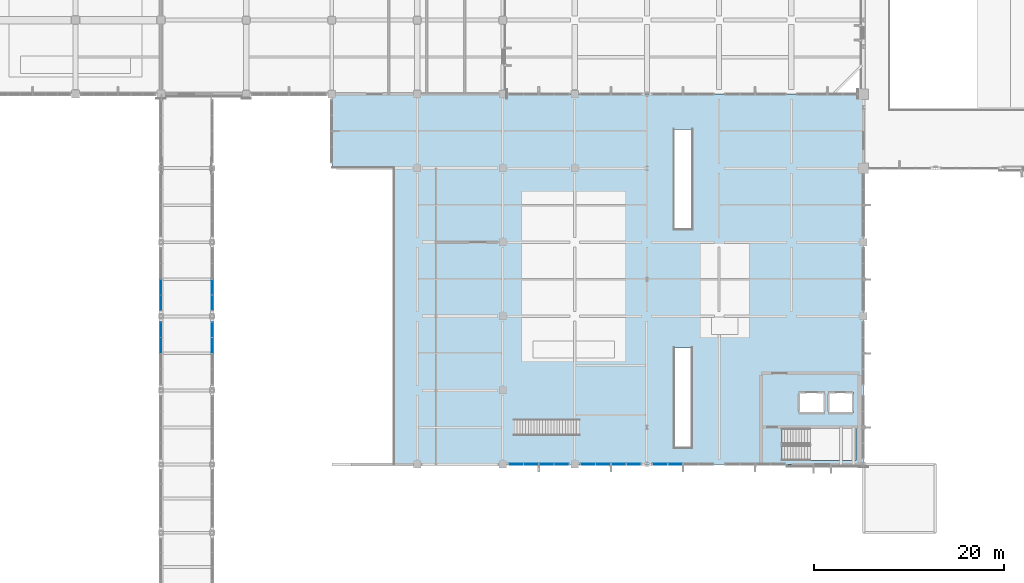
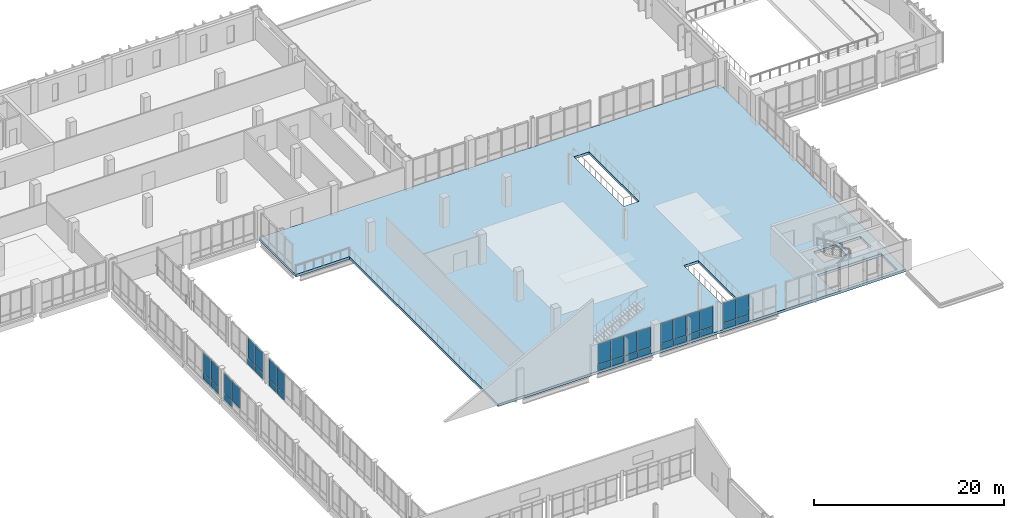
# One storey, part 46 of 85: 35 plates, 1 slab, 9 elements without a shape of their own.
"""IFC4 building model written with IfcOpenShell, lengths in metres."""

from ifc_helpers import new_model, si_unit, direction, frame, origin, origin_2d, place, context, subcontext, project, spatial, polyline, rectangle, outline, extrude, material, layer, layer_set, type_object, element, aggregate, save


model = new_model("IFC4")

# Units and contexts
model_context = context("Model", 3, precision=1e-05, world=origin(), true_north=direction((0.0, 1.0)))
body_context = subcontext(model_context, "Body", "Model", "MODEL_VIEW")
ifc_project = project(units=[si_unit("LENGTHUNIT", "METRE"), si_unit("AREAUNIT", "SQUARE_METRE"), si_unit("VOLUMEUNIT", "CUBIC_METRE"), si_unit("PLANEANGLEUNIT", "RADIAN"), si_unit("MASSUNIT", "GRAM", prefix="KILO")], contexts=[model_context])

# Site, building, storey
site_placement = place(None, origin())
site = spatial("IfcSite", under=ifc_project, at=site_placement, CompositionType="ELEMENT")
building_placement = place(site_placement, origin())
building = spatial("IfcBuilding", under=site, at=building_placement, Name="Vervanel Yard Central Library", CompositionType="ELEMENT")
storey_placement = place(building_placement, frame((0.0, 0.0, 5.10009765625)))
storey = spatial("IfcBuildingStorey", under=building, at=storey_placement, Name="L01", CompositionType="ELEMENT", Elevation=5.10009765625)

# Curtain wall, plate
ifc_material_1 = material(Name="Thermally broken anodized aluminium 6063-T6", Category="aluminium")
curtain_wall_type_1 = type_object("IfcCurtainWallType", Name="Boulevard Cafe & Bridge Curtain Wall", PredefinedType="NOTDEFINED", material=ifc_material_1)
curtain_wall_1_placement = place(storey_placement, origin())
curtain_wall_1 = element("IfcCurtainWall", 1, at=curtain_wall_1_placement, inside=storey, type_object=curtain_wall_type_1, Name="L01 Boulevard Cafe & Bridge Curtain Wall CWR-L01-180", PredefinedType="NOTDEFINED")
ifc_material_2 = material(Name="Insulated bronze aluminium spandrel panel", Category="aluminium")
ifc_layer_1 = layer(ifc_material_2, 0.070068359375, Category="aluminium")
ifc_layer_set_1 = layer_set([ifc_layer_1], Name="Insulated bronze aluminium spandrel panel")
plate_type_1 = type_object("IfcPlateType", Name="Bridge Fascia Spandrel Panel 70", PredefinedType="CURTAIN_PANEL", material=ifc_layer_set_1)
plate_1_placement = place(storey_placement, frame((72.0, 57.382568359375, 0.06005859375), z_axis=(0.0, 0.0, 1.0), x_axis=(0.0, 1.0, 0.0)))
plate_1 = element("IfcPlate", 2, at=plate_1_placement, type_object=plate_type_1, Name="CWR-L01-180 Panel B4-1", PredefinedType="CURTAIN_PANEL", context=body_context, shape_type="SweptSolid", body=[
    extrude(rectangle(XDim=1.594970703125, YDim=0.070068359375, at=origin_2d()), origin(), (0.0, 0.0, 1.0), 0.760009765625),
])

# Curtain wall, plates
curtain_wall_2_placement = place(storey_placement, origin())
curtain_wall_2 = element("IfcCurtainWall", 3, at=curtain_wall_2_placement, inside=storey, type_object=curtain_wall_type_1, Name="L01 Boulevard Cafe & Bridge Curtain Wall CWR-L01-181", PredefinedType="NOTDEFINED")
plate_2_placement = place(storey_placement, frame((72.0, 60.217529296875, 0.06005859375), z_axis=(0.0, 0.0, 1.0), x_axis=(0.0, 1.0, 0.0)))
plate_2 = element("IfcPlate", 4, at=plate_2_placement, type_object=plate_type_1, Name="CWR-L01-181 Panel B1-1", PredefinedType="CURTAIN_PANEL", context=body_context, shape_type="SweptSolid", body=[
    extrude(rectangle(XDim=1.594970703125, YDim=0.070068359375, at=origin_2d()), origin(), (0.0, 0.0, 1.0), 0.760009765625),
])
plate_3_placement = place(storey_placement, frame((72.0, 61.87255859375, 0.06005859375), z_axis=(0.0, 0.0, 1.0), x_axis=(0.0, 1.0, 0.0)))
plate_3 = element("IfcPlate", 5, at=plate_3_placement, type_object=plate_type_1, Name="CWR-L01-181 Panel B2-1", PredefinedType="CURTAIN_PANEL", context=body_context, shape_type="SweptSolid", body=[
    extrude(rectangle(XDim=1.594970703125, YDim=0.070068359375, at=origin_2d()), origin(), (0.0, 0.0, 1.0), 0.760009765625),
])

curtain_wall_3_placement = place(storey_placement, origin())
curtain_wall_3 = element("IfcCurtainWall", 6, at=curtain_wall_3_placement, inside=storey, type_object=curtain_wall_type_1, Name="L01 Boulevard Cafe & Bridge Curtain Wall CWR-L01-188", PredefinedType="NOTDEFINED")
plate_4_placement = place(storey_placement, frame((77.39990234375, 55.7275390625, 0.06005859375), z_axis=(0.0, 0.0, 1.0), x_axis=(0.0, 1.0, 0.0)))
plate_4 = element("IfcPlate", 7, at=plate_4_placement, type_object=plate_type_1, Name="CWR-L01-188 Panel B3-1", PredefinedType="CURTAIN_PANEL", context=body_context, shape_type="SweptSolid", body=[
    extrude(rectangle(XDim=1.594970703125, YDim=0.070068359375, at=origin_2d()), origin(), (0.0, 0.0, 1.0), 0.760009765625),
])
plate_5_placement = place(storey_placement, frame((77.39990234375, 57.382568359375, 0.06005859375), z_axis=(0.0, 0.0, 1.0), x_axis=(0.0, 1.0, 0.0)))
plate_5 = element("IfcPlate", 8, at=plate_5_placement, type_object=plate_type_1, Name="CWR-L01-188 Panel B4-1", PredefinedType="CURTAIN_PANEL", context=body_context, shape_type="SweptSolid", body=[
    extrude(rectangle(XDim=1.594970703125, YDim=0.070068359375, at=origin_2d()), origin(), (0.0, 0.0, 1.0), 0.760009765625),
])

curtain_wall_4_placement = place(storey_placement, origin())
curtain_wall_4 = element("IfcCurtainWall", 9, at=curtain_wall_4_placement, inside=storey, type_object=curtain_wall_type_1, Name="L01 Boulevard Cafe & Bridge Curtain Wall CWR-L01-189", PredefinedType="NOTDEFINED")
plate_6_placement = place(storey_placement, frame((77.39990234375, 60.217529296875, 0.06005859375), z_axis=(0.0, 0.0, 1.0), x_axis=(0.0, 1.0, 0.0)))
plate_6 = element("IfcPlate", 10, at=plate_6_placement, type_object=plate_type_1, Name="CWR-L01-189 Panel B1-1", PredefinedType="CURTAIN_PANEL", context=body_context, shape_type="SweptSolid", body=[
    extrude(rectangle(XDim=1.594970703125, YDim=0.070068359375, at=origin_2d()), origin(), (0.0, 0.0, 1.0), 0.760009765625),
])
plate_7_placement = place(storey_placement, frame((77.39990234375, 61.87255859375, 0.06005859375), z_axis=(0.0, 0.0, 1.0), x_axis=(0.0, 1.0, 0.0)))
plate_7 = element("IfcPlate", 11, at=plate_7_placement, type_object=plate_type_1, Name="CWR-L01-189 Panel B2-1", PredefinedType="CURTAIN_PANEL", context=body_context, shape_type="SweptSolid", body=[
    extrude(rectangle(XDim=1.594970703125, YDim=0.070068359375, at=origin_2d()), origin(), (0.0, 0.0, 1.0), 0.760009765625),
])

# Plate
ifc_material_3 = material(Name="Double low-E laminated solar-control glass", Category="glass")
ifc_layer_2 = layer(ifc_material_3, 0.028076171875, Category="glass")
ifc_layer_set_2 = layer_set([ifc_layer_2], Name="Double low-E laminated solar-control glass")
plate_type_2 = type_object("IfcPlateType", Name="Bridge UV-Filtered Vision Panel 28", PredefinedType="CURTAIN_PANEL", material=ifc_layer_set_2)
plate_8_placement = place(storey_placement, frame((72.0, 55.7275390625, 0.8798828125), z_axis=(0.0, 0.0, 1.0), x_axis=(0.0, 1.0, 0.0)))
plate_8 = element("IfcPlate", 12, at=plate_8_placement, type_object=plate_type_2, Name="CWR-L01-180 Panel B3-2", PredefinedType="CURTAIN_PANEL", context=body_context, shape_type="SweptSolid", body=[
    extrude(rectangle(XDim=1.594970703125, YDim=0.028076171875, at=origin_2d()), origin(), (0.0, 0.0, 1.0), 2.590087890625),
])

plate_9_placement = place(storey_placement, frame((72.0, 57.382568359375, 0.8798828125), z_axis=(0.0, 0.0, 1.0), x_axis=(0.0, 1.0, 0.0)))
plate_9 = element("IfcPlate", 13, at=plate_9_placement, type_object=plate_type_2, Name="CWR-L01-180 Panel B4-2", PredefinedType="CURTAIN_PANEL", context=body_context, shape_type="SweptSolid", body=[
    extrude(rectangle(XDim=1.594970703125, YDim=0.028076171875, at=origin_2d()), origin(), (0.0, 0.0, 1.0), 2.590087890625),
])

aggregate(curtain_wall_1, [plate_8, plate_1, plate_9])

plate_10_placement = place(storey_placement, frame((72.0, 60.217529296875, 0.8798828125), z_axis=(0.0, 0.0, 1.0), x_axis=(0.0, 1.0, 0.0)))
plate_10 = element("IfcPlate", 14, at=plate_10_placement, type_object=plate_type_2, Name="CWR-L01-181 Panel B1-2", PredefinedType="CURTAIN_PANEL", context=body_context, shape_type="SweptSolid", body=[
    extrude(rectangle(XDim=1.594970703125, YDim=0.028076171875, at=origin_2d()), origin(), (0.0, 0.0, 1.0), 2.590087890625),
])

plate_11_placement = place(storey_placement, frame((72.0, 61.87255859375, 0.8798828125), z_axis=(0.0, 0.0, 1.0), x_axis=(0.0, 1.0, 0.0)))
plate_11 = element("IfcPlate", 15, at=plate_11_placement, type_object=plate_type_2, Name="CWR-L01-181 Panel B2-2", PredefinedType="CURTAIN_PANEL", context=body_context, shape_type="SweptSolid", body=[
    extrude(rectangle(XDim=1.594970703125, YDim=0.028076171875, at=origin_2d()), origin(), (0.0, 0.0, 1.0), 2.590087890625),
])

aggregate(curtain_wall_2, [plate_2, plate_10, plate_3, plate_11])

plate_12_placement = place(storey_placement, frame((77.39990234375, 55.7275390625, 0.8798828125), z_axis=(0.0, 0.0, 1.0), x_axis=(0.0, 1.0, 0.0)))
plate_12 = element("IfcPlate", 16, at=plate_12_placement, type_object=plate_type_2, Name="CWR-L01-188 Panel B3-2", PredefinedType="CURTAIN_PANEL", context=body_context, shape_type="SweptSolid", body=[
    extrude(rectangle(XDim=1.594970703125, YDim=0.028076171875, at=origin_2d()), origin(), (0.0, 0.0, 1.0), 2.590087890625),
])

plate_13_placement = place(storey_placement, frame((77.39990234375, 57.382568359375, 0.8798828125), z_axis=(0.0, 0.0, 1.0), x_axis=(0.0, 1.0, 0.0)))
plate_13 = element("IfcPlate", 17, at=plate_13_placement, type_object=plate_type_2, Name="CWR-L01-188 Panel B4-2", PredefinedType="CURTAIN_PANEL", context=body_context, shape_type="SweptSolid", body=[
    extrude(rectangle(XDim=1.594970703125, YDim=0.028076171875, at=origin_2d()), origin(), (0.0, 0.0, 1.0), 2.590087890625),
])

aggregate(curtain_wall_3, [plate_4, plate_12, plate_5, plate_13])

plate_14_placement = place(storey_placement, frame((77.39990234375, 60.217529296875, 0.8798828125), z_axis=(0.0, 0.0, 1.0), x_axis=(0.0, 1.0, 0.0)))
plate_14 = element("IfcPlate", 18, at=plate_14_placement, type_object=plate_type_2, Name="CWR-L01-189 Panel B1-2", PredefinedType="CURTAIN_PANEL", context=body_context, shape_type="SweptSolid", body=[
    extrude(rectangle(XDim=1.594970703125, YDim=0.028076171875, at=origin_2d()), origin(), (0.0, 0.0, 1.0), 2.590087890625),
])

plate_15_placement = place(storey_placement, frame((77.39990234375, 61.87255859375, 0.8798828125), z_axis=(0.0, 0.0, 1.0), x_axis=(0.0, 1.0, 0.0)))
plate_15 = element("IfcPlate", 19, at=plate_15_placement, type_object=plate_type_2, Name="CWR-L01-189 Panel B2-2", PredefinedType="CURTAIN_PANEL", context=body_context, shape_type="SweptSolid", body=[
    extrude(rectangle(XDim=1.594970703125, YDim=0.028076171875, at=origin_2d()), origin(), (0.0, 0.0, 1.0), 2.590087890625),
])

aggregate(curtain_wall_4, [plate_6, plate_14, plate_7, plate_15])

# Slab
ifc_material_4 = material(Name="Concrete C45/55", Category="concrete")
ifc_layer_3 = layer(ifc_material_4, 0.320068359375, Category="concrete")
ifc_layer_set_3 = layer_set([ifc_layer_3], Name="Concrete C45/55")
slab_type = type_object("IfcSlabType", Name="Main Reading Hall Long-Span Slab 320", PredefinedType="FLOOR", material=ifc_layer_set_3)
slab_placement = place(storey_placement, frame((0.0, 0.0, -0.320068359375)))
element("IfcSlab", 20, at=slab_placement, inside=storey, type_object=slab_type, Name="L01 V3 Main Reading Hall Long-Span Slab 320", PredefinedType="FLOOR", context=body_context, shape_type="SweptSolid", body=[
    extrude(outline(polyline([(96.5, 43.199951171875), (146.0, 43.199951171875), (146.0, 82.199951171875), (90.0, 82.199951171875), (90.0, 74.39990234375), (96.5, 74.39990234375), (96.5, 43.199951171875)]), holes=[polyline([(137.43505859375, 43.60009765625), (145.199951171875, 43.60009765625), (145.199951171875, 46.9599609375), (137.43505859375, 46.9599609375), (137.43505859375, 43.60009765625)]), polyline([(139.199951171875, 48.60009765625), (141.89990234375, 48.60009765625), (141.89990234375, 50.800048828125), (139.199951171875, 50.800048828125), (139.199951171875, 48.60009765625)]), polyline([(142.300048828125, 48.60009765625), (144.89990234375, 48.60009765625), (144.89990234375, 50.800048828125), (142.300048828125, 50.800048828125), (142.300048828125, 48.60009765625)]), polyline([(126.10009765625, 45.0), (127.89990234375, 45.0), (127.89990234375, 55.465087890625), (126.10009765625, 55.465087890625), (126.10009765625, 45.0)]), polyline([(126.080078125, 68.0), (127.919921875, 68.0), (127.919921875, 78.465087890625), (126.080078125, 78.465087890625), (126.080078125, 68.0)])]), origin(), (0.0, 0.0, 1.0), 0.320068359375),
])

# Curtain wall, plates
curtain_wall_type_2 = type_object("IfcCurtainWallType", Name="Reading Hall Full-Height Curtain Wall", PredefinedType="NOTDEFINED", material=ifc_material_1)
curtain_wall_5_placement = place(storey_placement, origin())
curtain_wall_5 = element("IfcCurtainWall", 21, at=curtain_wall_5_placement, inside=storey, type_object=curtain_wall_type_2, Name="L01 Reading Hall Full-Height Curtain Wall CWR-L01-060", PredefinedType="NOTDEFINED")
ifc_layer_4 = layer(ifc_material_3, 0.0380859375, Category="glass")
ifc_layer_set_4 = layer_set([ifc_layer_4], Name="Double low-E laminated solar-control glass")
plate_type_3 = type_object("IfcPlateType", Name="Reading Hall Acoustic Vision Panel 38", PredefinedType="CURTAIN_PANEL", material=ifc_layer_set_4)
plate_16_placement = place(storey_placement, frame((109.387451171875, 43.199951171875, 0.884765625), z_axis=(0.0, 0.0, 1.0), x_axis=(1.0, 0.0, 0.0)))
plate_16 = element("IfcPlate", 22, at=plate_16_placement, type_object=plate_type_3, Name="CWR-L01-060 Panel B1-2", PredefinedType="CURTAIN_PANEL", context=body_context, shape_type="SweptSolid", body=[
    extrude(rectangle(XDim=1.514892578125, YDim=0.0380859375, at=origin_2d()), origin(), (0.0, 0.0, 1.0), 2.574951171875),
])
plate_17_placement = place(storey_placement, frame((110.972412109375, 43.199951171875, 0.884765625), z_axis=(0.0, 0.0, 1.0), x_axis=(1.0, 0.0, 0.0)))
plate_17 = element("IfcPlate", 23, at=plate_17_placement, type_object=plate_type_3, Name="CWR-L01-060 Panel B2-2", PredefinedType="CURTAIN_PANEL", context=body_context, shape_type="SweptSolid", body=[
    extrude(rectangle(XDim=1.514892578125, YDim=0.0380859375, at=origin_2d()), origin(), (0.0, 0.0, 1.0), 2.574951171875),
])

curtain_wall_6_placement = place(storey_placement, origin())
curtain_wall_6 = element("IfcCurtainWall", 24, at=curtain_wall_6_placement, inside=storey, type_object=curtain_wall_type_2, Name="L01 Reading Hall Full-Height Curtain Wall CWR-L01-061", PredefinedType="NOTDEFINED")
plate_18_placement = place(storey_placement, frame((112.62744140625, 43.199951171875, 0.884765625), z_axis=(0.0, 0.0, 1.0), x_axis=(1.0, 0.0, 0.0)))
plate_18 = element("IfcPlate", 25, at=plate_18_placement, type_object=plate_type_3, Name="CWR-L01-061 Panel B1-2", PredefinedType="CURTAIN_PANEL", context=body_context, shape_type="SweptSolid", body=[
    extrude(rectangle(XDim=1.514892578125, YDim=0.0380859375, at=origin_2d()), origin(), (0.0, 0.0, 1.0), 2.574951171875),
])
plate_19_placement = place(storey_placement, frame((114.21240234375, 43.199951171875, 0.884765625), z_axis=(0.0, 0.0, 1.0), x_axis=(1.0, 0.0, 0.0)))
plate_19 = element("IfcPlate", 26, at=plate_19_placement, type_object=plate_type_3, Name="CWR-L01-061 Panel B2-2", PredefinedType="CURTAIN_PANEL", context=body_context, shape_type="SweptSolid", body=[
    extrude(rectangle(XDim=1.514892578125, YDim=0.0380859375, at=origin_2d()), origin(), (0.0, 0.0, 1.0), 2.574951171875),
])

curtain_wall_7_placement = place(storey_placement, origin())
curtain_wall_7 = element("IfcCurtainWall", 27, at=curtain_wall_7_placement, inside=storey, type_object=curtain_wall_type_2, Name="L01 Reading Hall Full-Height Curtain Wall CWR-L01-062", PredefinedType="NOTDEFINED")
plate_20_placement = place(storey_placement, frame((116.987548828125, 43.199951171875, 0.884765625), z_axis=(0.0, 0.0, 1.0), x_axis=(1.0, 0.0, 0.0)))
plate_20 = element("IfcPlate", 28, at=plate_20_placement, type_object=plate_type_3, Name="CWR-L01-062 Panel B1-2", PredefinedType="CURTAIN_PANEL", context=body_context, shape_type="SweptSolid", body=[
    extrude(rectangle(XDim=1.514892578125, YDim=0.0380859375, at=origin_2d()), origin(), (0.0, 0.0, 1.0), 2.574951171875),
])
plate_21_placement = place(storey_placement, frame((118.572509765625, 43.199951171875, 0.884765625), z_axis=(0.0, 0.0, 1.0), x_axis=(1.0, 0.0, 0.0)))
plate_21 = element("IfcPlate", 29, at=plate_21_placement, type_object=plate_type_3, Name="CWR-L01-062 Panel B2-2", PredefinedType="CURTAIN_PANEL", context=body_context, shape_type="SweptSolid", body=[
    extrude(rectangle(XDim=1.514892578125, YDim=0.0380859375, at=origin_2d()), origin(), (0.0, 0.0, 1.0), 2.574951171875),
])

curtain_wall_8_placement = place(storey_placement, origin())
curtain_wall_8 = element("IfcCurtainWall", 30, at=curtain_wall_8_placement, inside=storey, type_object=curtain_wall_type_2, Name="L01 Reading Hall Full-Height Curtain Wall CWR-L01-063", PredefinedType="NOTDEFINED")
plate_22_placement = place(storey_placement, frame((120.2275390625, 43.199951171875, 0.884765625), z_axis=(0.0, 0.0, 1.0), x_axis=(1.0, 0.0, 0.0)))
plate_22 = element("IfcPlate", 31, at=plate_22_placement, type_object=plate_type_3, Name="CWR-L01-063 Panel B1-2", PredefinedType="CURTAIN_PANEL", context=body_context, shape_type="SweptSolid", body=[
    extrude(rectangle(XDim=1.514892578125, YDim=0.0380859375, at=origin_2d()), origin(), (0.0, 0.0, 1.0), 2.574951171875),
])
plate_23_placement = place(storey_placement, frame((121.8125, 43.199951171875, 0.884765625), z_axis=(0.0, 0.0, 1.0), x_axis=(1.0, 0.0, 0.0)))
plate_23 = element("IfcPlate", 32, at=plate_23_placement, type_object=plate_type_3, Name="CWR-L01-063 Panel B2-2", PredefinedType="CURTAIN_PANEL", context=body_context, shape_type="SweptSolid", body=[
    extrude(rectangle(XDim=1.514892578125, YDim=0.0380859375, at=origin_2d()), origin(), (0.0, 0.0, 1.0), 2.574951171875),
])

curtain_wall_9_placement = place(storey_placement, origin())
curtain_wall_9 = element("IfcCurtainWall", 33, at=curtain_wall_9_placement, inside=storey, type_object=curtain_wall_type_2, Name="L01 Reading Hall Full-Height Curtain Wall CWR-L01-064", PredefinedType="NOTDEFINED")
plate_24_placement = place(storey_placement, frame((124.58740234375, 43.199951171875, 0.884765625), z_axis=(0.0, 0.0, 1.0), x_axis=(1.0, 0.0, 0.0)))
plate_24 = element("IfcPlate", 34, at=plate_24_placement, type_object=plate_type_3, Name="CWR-L01-064 Panel B1-2", PredefinedType="CURTAIN_PANEL", context=body_context, shape_type="SweptSolid", body=[
    extrude(rectangle(XDim=1.514892578125, YDim=0.0380859375, at=origin_2d()), origin(), (0.0, 0.0, 1.0), 2.574951171875),
])
plate_25_placement = place(storey_placement, frame((126.172607421875, 43.199951171875, 0.884765625), z_axis=(0.0, 0.0, 1.0), x_axis=(1.0, 0.0, 0.0)))
plate_25 = element("IfcPlate", 35, at=plate_25_placement, type_object=plate_type_3, Name="CWR-L01-064 Panel B2-2", PredefinedType="CURTAIN_PANEL", context=body_context, shape_type="SweptSolid", body=[
    extrude(rectangle(XDim=1.514892578125, YDim=0.0380859375, at=origin_2d()), origin(), (0.0, 0.0, 1.0), 2.574951171875),
])

# Plate
ifc_layer_5 = layer(ifc_material_2, 0.094970703125, Category="aluminium")
ifc_layer_set_5 = layer_set([ifc_layer_5], Name="Insulated bronze aluminium spandrel panel")
plate_type_4 = type_object("IfcPlateType", Name="Reading Hall Shadow-Box Spandrel 95", PredefinedType="CURTAIN_PANEL", material=ifc_layer_set_5)
plate_26_placement = place(storey_placement, frame((109.387451171875, 43.199951171875, 0.06982421875), z_axis=(0.0, 0.0, 1.0), x_axis=(1.0, 0.0, 0.0)))
plate_26 = element("IfcPlate", 36, at=plate_26_placement, type_object=plate_type_4, Name="CWR-L01-060 Panel B1-1", PredefinedType="CURTAIN_PANEL", context=body_context, shape_type="SweptSolid", body=[
    extrude(rectangle(XDim=1.514892578125, YDim=0.094970703125, at=origin_2d()), origin(), (0.0, 0.0, 1.0), 0.7451171875),
])

plate_27_placement = place(storey_placement, frame((110.972412109375, 43.199951171875, 0.06982421875), z_axis=(0.0, 0.0, 1.0), x_axis=(1.0, 0.0, 0.0)))
plate_27 = element("IfcPlate", 37, at=plate_27_placement, type_object=plate_type_4, Name="CWR-L01-060 Panel B2-1", PredefinedType="CURTAIN_PANEL", context=body_context, shape_type="SweptSolid", body=[
    extrude(rectangle(XDim=1.514892578125, YDim=0.094970703125, at=origin_2d()), origin(), (0.0, 0.0, 1.0), 0.7451171875),
])

aggregate(curtain_wall_5, [plate_26, plate_16, plate_27, plate_17])

plate_28_placement = place(storey_placement, frame((112.62744140625, 43.199951171875, 0.06982421875), z_axis=(0.0, 0.0, 1.0), x_axis=(1.0, 0.0, 0.0)))
plate_28 = element("IfcPlate", 38, at=plate_28_placement, type_object=plate_type_4, Name="CWR-L01-061 Panel B1-1", PredefinedType="CURTAIN_PANEL", context=body_context, shape_type="SweptSolid", body=[
    extrude(rectangle(XDim=1.514892578125, YDim=0.094970703125, at=origin_2d()), origin(), (0.0, 0.0, 1.0), 0.7451171875),
])

plate_29_placement = place(storey_placement, frame((114.21240234375, 43.199951171875, 0.06982421875), z_axis=(0.0, 0.0, 1.0), x_axis=(1.0, 0.0, 0.0)))
plate_29 = element("IfcPlate", 39, at=plate_29_placement, type_object=plate_type_4, Name="CWR-L01-061 Panel B2-1", PredefinedType="CURTAIN_PANEL", context=body_context, shape_type="SweptSolid", body=[
    extrude(rectangle(XDim=1.514892578125, YDim=0.094970703125, at=origin_2d()), origin(), (0.0, 0.0, 1.0), 0.7451171875),
])

aggregate(curtain_wall_6, [plate_28, plate_18, plate_29, plate_19])

plate_30_placement = place(storey_placement, frame((116.987548828125, 43.199951171875, 0.06982421875), z_axis=(0.0, 0.0, 1.0), x_axis=(1.0, 0.0, 0.0)))
plate_30 = element("IfcPlate", 40, at=plate_30_placement, type_object=plate_type_4, Name="CWR-L01-062 Panel B1-1", PredefinedType="CURTAIN_PANEL", context=body_context, shape_type="SweptSolid", body=[
    extrude(rectangle(XDim=1.514892578125, YDim=0.094970703125, at=origin_2d()), origin(), (0.0, 0.0, 1.0), 0.7451171875),
])

plate_31_placement = place(storey_placement, frame((118.572509765625, 43.199951171875, 0.06982421875), z_axis=(0.0, 0.0, 1.0), x_axis=(1.0, 0.0, 0.0)))
plate_31 = element("IfcPlate", 41, at=plate_31_placement, type_object=plate_type_4, Name="CWR-L01-062 Panel B2-1", PredefinedType="CURTAIN_PANEL", context=body_context, shape_type="SweptSolid", body=[
    extrude(rectangle(XDim=1.514892578125, YDim=0.094970703125, at=origin_2d()), origin(), (0.0, 0.0, 1.0), 0.7451171875),
])

aggregate(curtain_wall_7, [plate_30, plate_20, plate_31, plate_21])

plate_32_placement = place(storey_placement, frame((120.2275390625, 43.199951171875, 0.06982421875), z_axis=(0.0, 0.0, 1.0), x_axis=(1.0, 0.0, 0.0)))
plate_32 = element("IfcPlate", 42, at=plate_32_placement, type_object=plate_type_4, Name="CWR-L01-063 Panel B1-1", PredefinedType="CURTAIN_PANEL", context=body_context, shape_type="SweptSolid", body=[
    extrude(rectangle(XDim=1.514892578125, YDim=0.094970703125, at=origin_2d()), origin(), (0.0, 0.0, 1.0), 0.7451171875),
])

plate_33_placement = place(storey_placement, frame((121.8125, 43.199951171875, 0.06982421875), z_axis=(0.0, 0.0, 1.0), x_axis=(1.0, 0.0, 0.0)))
plate_33 = element("IfcPlate", 43, at=plate_33_placement, type_object=plate_type_4, Name="CWR-L01-063 Panel B2-1", PredefinedType="CURTAIN_PANEL", context=body_context, shape_type="SweptSolid", body=[
    extrude(rectangle(XDim=1.514892578125, YDim=0.094970703125, at=origin_2d()), origin(), (0.0, 0.0, 1.0), 0.7451171875),
])

aggregate(curtain_wall_8, [plate_32, plate_22, plate_33, plate_23])

plate_34_placement = place(storey_placement, frame((124.58740234375, 43.199951171875, 0.06982421875), z_axis=(0.0, 0.0, 1.0), x_axis=(1.0, 0.0, 0.0)))
plate_34 = element("IfcPlate", 44, at=plate_34_placement, type_object=plate_type_4, Name="CWR-L01-064 Panel B1-1", PredefinedType="CURTAIN_PANEL", context=body_context, shape_type="SweptSolid", body=[
    extrude(rectangle(XDim=1.514892578125, YDim=0.094970703125, at=origin_2d()), origin(), (0.0, 0.0, 1.0), 0.7451171875),
])

plate_35_placement = place(storey_placement, frame((126.172607421875, 43.199951171875, 0.06982421875), z_axis=(0.0, 0.0, 1.0), x_axis=(1.0, 0.0, 0.0)))
plate_35 = element("IfcPlate", 45, at=plate_35_placement, type_object=plate_type_4, Name="CWR-L01-064 Panel B2-1", PredefinedType="CURTAIN_PANEL", context=body_context, shape_type="SweptSolid", body=[
    extrude(rectangle(XDim=1.514892578125, YDim=0.094970703125, at=origin_2d()), origin(), (0.0, 0.0, 1.0), 0.7451171875),
])

aggregate(curtain_wall_9, [plate_34, plate_24, plate_35, plate_25])

save(model, "model.ifc")
